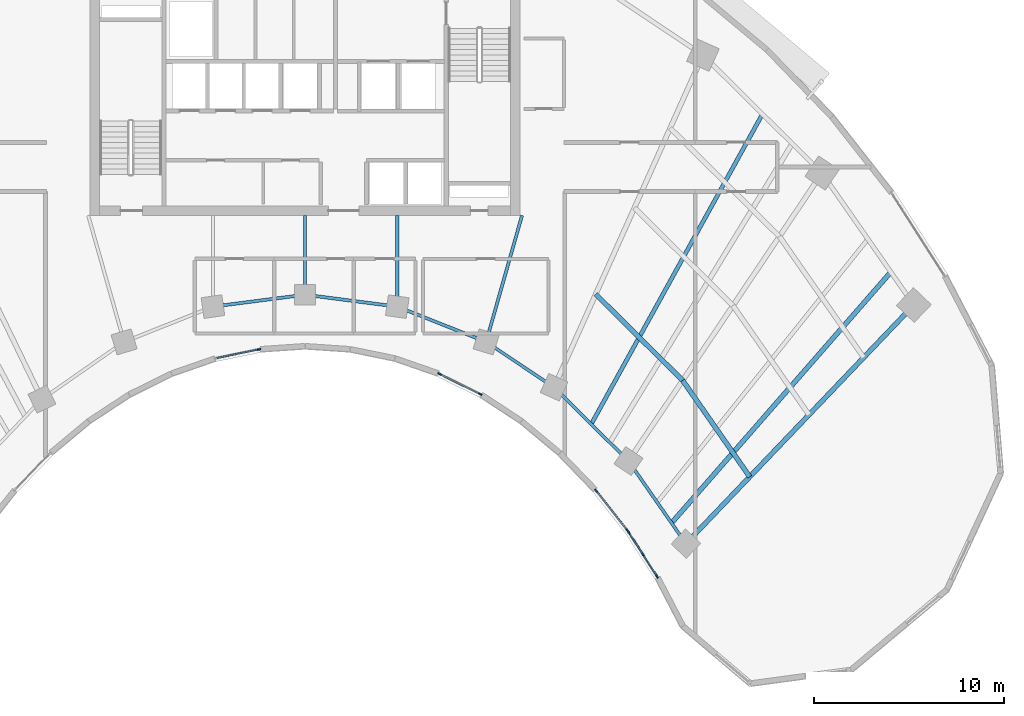
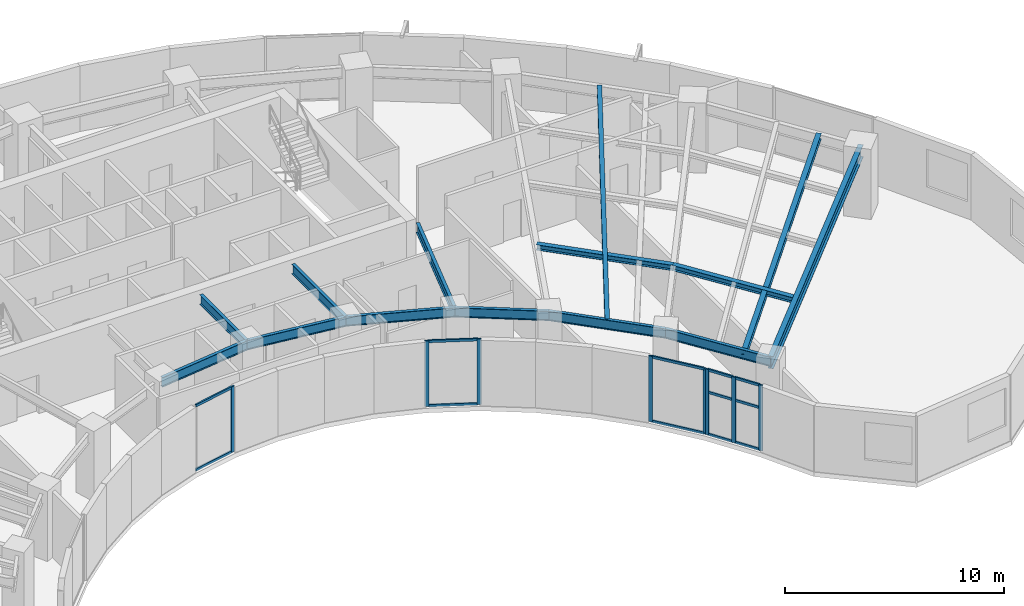
# One storey, part 3 of 14: 20 members, 14 beams, 4 elements without a shape of their own.
"""IFC4 building model written with IfcOpenShell, lengths in metres."""

import ifcopenshell
import ifcopenshell.guid

model = None  # the IFC model being written
_history = None  # IfcOwnerHistory: only IFC2X3 demands one
_inside = {}  # id of a spatial element -> (the spatial element, [elements in it])
_under = {}  # id of a project, library or spatial element -> (it, [spatial elements below it])
_declared = {}  # id of a project -> (the project, [libraries it declares])
_typed = {}  # id of a type object -> (the type object, [elements of that type])
_made_of = {}  # id of a material, layer set ... -> (it, [elements and type objects made of it])


def new_model(schema):
    """Start an empty IFC model of exactly this schema.

    Asked for "IFC4X3", IfcOpenShell would pick the latest addendum, in which some entities
    have other attributes; the version numbers below select the first issue.
    IFC2X3 requires an IfcOwnerHistory on every rooted entity: one is made here for all.
    """
    global model, _history
    if schema == "IFC4X3":
        model = ifcopenshell.file(schema_version=(4, 3, 0, 0))
    else:
        model = ifcopenshell.file(schema=schema)
    _inside.clear()
    _under.clear()
    _declared.clear()
    _typed.clear()
    _made_of.clear()
    _history = None
    if model.schema == "IFC2X3":
        org = make("IfcOrganization", Name="unknown")
        user = make(
            "IfcPersonAndOrganization",
            ThePerson=make("IfcPerson", FamilyName="unknown"),
            TheOrganization=org,
        )
        app = make(
            "IfcApplication",
            ApplicationDeveloper=org,
            Version="unknown",
            ApplicationFullName="unknown",
            ApplicationIdentifier="unknown",
        )
        _history = make(
            "IfcOwnerHistory",
            OwningUser=user,
            OwningApplication=app,
            ChangeAction="ADDED",
            CreationDate=0,
        )
    return model


def make(cls, **values):
    """One entity of the class cls with the attributes given. An attribute that is None is left unset."""
    return model.create_entity(
        cls, **{name: value for name, value in values.items() if value is not None}
    )


def rooted(cls, **values):
    """An entity with a GlobalId (a new one), such as an element, a storey or a relation."""
    return make(cls, GlobalId=ifcopenshell.guid.new(), OwnerHistory=_history, **values)


def si_unit(unit_type, name, prefix=None):
    """IfcSIUnit, for example si_unit("LENGTHUNIT", "METRE", prefix="MILLI")."""
    return make("IfcSIUnit", UnitType=unit_type, Prefix=prefix, Name=name)


def assignment(units):
    """IfcUnitAssignment: the units of a project."""
    return None if units is None else make("IfcUnitAssignment", Units=units)


def point(xyz):
    """IfcCartesianPoint."""
    return None if xyz is None else make("IfcCartesianPoint", Coordinates=xyz)


def direction(xyz):
    """IfcDirection."""
    return None if xyz is None else make("IfcDirection", DirectionRatios=xyz)


def frame(location, z_axis=None, x_axis=None):
    """IfcAxis2Placement3D, a coordinate frame: its origin and axes. An axis left out is left unset."""
    return make(
        "IfcAxis2Placement3D",
        Location=point(location),
        Axis=direction(z_axis),
        RefDirection=direction(x_axis),
    )


def frame_2d(location, x_axis=None):
    """IfcAxis2Placement2D, a coordinate frame in the plane: its origin and x axis."""
    return make(
        "IfcAxis2Placement2D", Location=point(location), RefDirection=direction(x_axis)
    )


def origin():
    """The frame at (0, 0, 0) with its axes left unset."""
    return frame((0.0, 0.0, 0.0))


def origin_2d():
    """The frame at (0, 0) in the plane with its x axis left unset."""
    return frame_2d((0.0, 0.0))


def place(relative_to, where):
    """IfcLocalPlacement: puts the frame where relative to a parent placement (None: the world)."""
    return make(
        "IfcLocalPlacement", PlacementRelTo=relative_to, RelativePlacement=where
    )


def context(
    kind, dimensions, precision=None, world=None, true_north=None, identifier=None
):
    """IfcGeometricRepresentationContext, for example the 3D "Model" context."""
    return make(
        "IfcGeometricRepresentationContext",
        ContextIdentifier=identifier,
        ContextType=kind,
        CoordinateSpaceDimension=dimensions,
        Precision=precision,
        WorldCoordinateSystem=world,
        TrueNorth=true_north,
    )


def subcontext(parent, identifier, kind, view, scale=None):
    """IfcGeometricRepresentationSubContext, for example "Body" below "Model"."""
    return make(
        "IfcGeometricRepresentationSubContext",
        ContextIdentifier=identifier,
        ContextType=kind,
        ParentContext=parent,
        TargetScale=scale,
        TargetView=view,
    )


def project(units=None, contexts=None):
    """IfcProject with its units and contexts."""
    return rooted(
        "IfcProject",
        Name="project",
        RepresentationContexts=contexts,
        UnitsInContext=assignment(units),
    )


def spatial(cls, under=None, at=None, **own):
    """A site, building, storey or space (cls), placed at a placement, below another one or the project."""
    s = rooted(cls, ObjectPlacement=at, **own)
    if under is not None:
        _under.setdefault(under.id(), (under, []))[1].append(s)
    return s


def profile(cls, at=None, kind="AREA", **sizes):
    """A parametric profile (cls). Its sizes go by their IFC names, for example OverallWidth=200.0."""
    return make(cls, ProfileType=kind, Position=at, **sizes)


def rectangle(**sizes):
    """IfcRectangleProfileDef."""
    return profile("IfcRectangleProfileDef", **sizes)


def i_section(**sizes):
    """IfcIShapeProfileDef."""
    return profile("IfcIShapeProfileDef", **sizes)


def extrude(swept, where, along, depth):
    """IfcExtrudedAreaSolid: the profile swept, set in the frame where, extruded along a direction by depth."""
    return make(
        "IfcExtrudedAreaSolid",
        SweptArea=swept,
        Position=where,
        ExtrudedDirection=direction(along),
        Depth=depth,
    )


def shape(context_of_items, identifier, shape_type, items):
    """IfcShapeRepresentation: the items that make up one representation, for example the "Body"."""
    return make(
        "IfcShapeRepresentation",
        ContextOfItems=context_of_items,
        RepresentationIdentifier=identifier,
        RepresentationType=shape_type,
        Items=items,
    )


def source(mapping_origin, context_of_items, identifier, shape_type, items):
    """IfcRepresentationMap: a shape defined once, which mapped items show again and again."""
    return make(
        "IfcRepresentationMap",
        MappingOrigin=mapping_origin,
        MappedRepresentation=shape(context_of_items, identifier, shape_type, items),
    )


def transform(
    local_origin,
    x_axis=None,
    y_axis=None,
    z_axis=None,
    scale=None,
    scale2=None,
    scale3=None,
    uniform=True,
):
    """IfcCartesianTransformationOperator3D, or its non-uniform kind. x_axis, y_axis, z_axis: its Axis1, 2, 3."""
    if uniform:
        return make(
            "IfcCartesianTransformationOperator3D",
            Axis1=direction(x_axis),
            Axis2=direction(y_axis),
            LocalOrigin=point(local_origin),
            Scale=scale,
            Axis3=direction(z_axis),
        )
    return make(
        "IfcCartesianTransformationOperator3DnonUniform",
        Axis1=direction(x_axis),
        Axis2=direction(y_axis),
        LocalOrigin=point(local_origin),
        Scale=scale,
        Axis3=direction(z_axis),
        Scale2=scale2,
        Scale3=scale3,
    )


def mapped(mapping_source, mapping_target):
    """IfcMappedItem: shows the shape of a source again, moved by a transform."""
    return make(
        "IfcMappedItem", MappingSource=mapping_source, MappingTarget=mapping_target
    )


def material(Name=None, Category=None):
    """IfcMaterial."""
    return make("IfcMaterial", Name=Name, Category=Category)


def layer(
    of_material, thickness, ventilated=None, Name=None, Category=None, Priority=None
):
    """IfcMaterialLayer: one layer of a wall or slab, of a material (None: an air gap)."""
    return make(
        "IfcMaterialLayer",
        Material=of_material,
        LayerThickness=thickness,
        IsVentilated=ventilated,
        Name=Name,
        Category=Category,
        Priority=Priority,
    )


def layer_set(layers, Name=None):
    """IfcMaterialLayerSet."""
    return make("IfcMaterialLayerSet", MaterialLayers=layers, LayerSetName=Name)


def material_profile(
    of_material, cross_section, Name=None, Category=None, Priority=None
):
    """IfcMaterialProfile: a cross section and its material."""
    return make(
        "IfcMaterialProfile",
        Name=Name,
        Material=of_material,
        Profile=cross_section,
        Priority=Priority,
        Category=Category,
    )


def profile_set(profiles, Name=None, composite=None):
    """IfcMaterialProfileSet."""
    return make(
        "IfcMaterialProfileSet",
        Name=Name,
        MaterialProfiles=profiles,
        CompositeProfile=composite,
    )


def made_of(thing, what):
    """Note that an element or type object is made of a material, layer set ...; save() writes the relation."""
    if what is not None:
        _made_of.setdefault(what.id(), (what, []))[1].append(thing)
    return thing


def type_object(cls, material=None, **own):
    """A type object (cls), such as IfcWallType, which elements share."""
    return made_of(rooted(cls, **own), material)


def type_shapes(of_type, sources):
    """Give a type object the sources (RepresentationMaps) that its elements show as mapped items."""
    of_type.RepresentationMaps = sources


def element(
    cls,
    number,
    at=None,
    inside=None,
    cuts=None,
    type_object=None,
    material=None,
    context=None,
    identifier="Body",
    shape_type=None,
    held_by="IfcProductDefinitionShape",
    body=None,
    shapes=None,
    **own,
):
    """One element of the class cls, such as IfcWall. Its Tag is "e" and its number.

    at: its placement. inside: the storey or other place that contains it. cuts: it is an
    opening in that element (IfcRelVoidsElement). A single representation is given by context,
    identifier, shape_type and body (its items); several are given by shapes. held_by: the class
    of the entity that holds the representations. save() writes the other relations.
    """
    e = rooted(cls, Tag="e%d" % number, ObjectPlacement=at, **own)
    if body is not None:
        shapes = [shape(context, identifier, shape_type, body)]
    if shapes is not None:
        e.Representation = make(held_by, Representations=shapes)
    if inside is not None:
        _inside.setdefault(inside.id(), (inside, []))[1].append(e)
    if cuts is not None:
        rooted(
            "IfcRelVoidsElement", RelatingBuildingElement=cuts, RelatedOpeningElement=e
        )
    if type_object is not None:
        _typed.setdefault(type_object.id(), (type_object, []))[1].append(e)
    return made_of(e, material)


def aggregate(whole, parts):
    """IfcRelAggregates: a whole, such as a stair, and the parts it consists of."""
    return rooted("IfcRelAggregates", RelatingObject=whole, RelatedObjects=parts)


def save(model, path):
    """Write the relations noted so far, then the file.

    IfcRelAggregates (storeys below a building ...), IfcRelContainedInSpatialStructure (elements
    in a storey), IfcRelDefinesByType, IfcRelAssociatesMaterial and IfcRelDeclares: one each for
    every whole, place, type object, material and project.
    """
    for whole, parts in _under.values():
        aggregate(whole, parts)
    for where, things in _inside.values():
        rooted(
            "IfcRelContainedInSpatialStructure",
            RelatedElements=things,
            RelatingStructure=where,
        )
    for kind, things in _typed.values():
        rooted("IfcRelDefinesByType", RelatedObjects=things, RelatingType=kind)
    for what, things in _made_of.values():
        rooted("IfcRelAssociatesMaterial", RelatedObjects=things, RelatingMaterial=what)
    for by, libraries in _declared.values():
        rooted("IfcRelDeclares", RelatingContext=by, RelatedDefinitions=libraries)
    model.write(path)


model = new_model("IFC4")

# Units and contexts
model_context = context("Model", 3, precision=1e-05, world=origin(), true_north=direction((0.0, 1.0)))
body_context = subcontext(model_context, "Body", "Model", "MODEL_VIEW")
ifc_project = project(units=[si_unit("LENGTHUNIT", "METRE"), si_unit("AREAUNIT", "SQUARE_METRE"), si_unit("VOLUMEUNIT", "CUBIC_METRE"), si_unit("PLANEANGLEUNIT", "RADIAN"), si_unit("MASSUNIT", "GRAM", prefix="KILO")], contexts=[model_context])

# Site, building, storey
site_placement = place(None, origin())
site = spatial("IfcSite", under=ifc_project, at=site_placement, CompositionType="ELEMENT")
building_placement = place(site_placement, origin())
building = spatial("IfcBuilding", under=site, at=building_placement, Name="Breltana Convention Tower", CompositionType="ELEMENT")
storey_placement = place(building_placement, frame((0.0, 0.0, 111.60009765625)))
storey = spatial("IfcBuildingStorey", under=building, at=storey_placement, Name="L26", CompositionType="ELEMENT", Elevation=111.60009765625)

# Beams
ifc_material_1 = material(Name="Steel ASTM A992 Grade 50", Category="steel")
ifc_material_profile_1 = material_profile(ifc_material_1, i_section(OverallWidth=0.25390625, OverallDepth=0.68798828125, WebThickness=0.01318359375, FlangeThickness=0.02099609375, at=origin_2d()), Name="W27X102")
ifc_profile_set_1 = profile_set([ifc_material_profile_1], Name="Steel ASTM A992 Grade 50")
beam_type_1 = type_object("IfcBeamType", Name="BM-RG-W27X102", PredefinedType="USERDEFINED", material=ifc_profile_set_1)
shared_shape_1 = source(origin(), body_context, "Body", "SweptSolid", [
    extrude(i_section(OverallWidth=0.25390625, OverallDepth=0.68798828125, WebThickness=0.01318359375, FlangeThickness=0.02099609375, at=origin_2d()), origin(), (0.0, 0.0, 1.0), 17.341064453125),
])
type_shapes(beam_type_1, [shared_shape_1])
beam_1_placement = place(storey_placement, frame((68.015380859375, 42.95458984375, 3.305908203125), z_axis=(0.690716462293, 0.723125693581, 0.0), x_axis=(-0.723125693581, 0.690716462293, 0.0)))
element("IfcBeam", 1, at=beam_1_placement, inside=storey, type_object=beam_type_1, Name="L26 Radial Floor Girder R11", ObjectType="GIRDER", PredefinedType="USERDEFINED", context=body_context, shape_type="MappedRepresentation", body=[
    mapped(shared_shape_1, transform((0.0, 0.0, 0.0), scale=1.0)),
])
ifc_material_profile_2 = material_profile(ifc_material_1, i_section(OverallWidth=0.166015625, OverallDepth=0.534912109375, WebThickness=0.01025390625, FlangeThickness=0.0166015625, at=origin_2d()), Name="W21X57")
ifc_profile_set_2 = profile_set([ifc_material_profile_2], Name="Steel ASTM A992 Grade 50")
beam_type_2 = type_object("IfcBeamType", Name="BM-BM-W21X57", PredefinedType="BEAM", material=ifc_profile_set_2)
shared_shape_2 = source(origin(), body_context, "Body", "SweptSolid", [
    extrude(i_section(OverallWidth=0.166015625, OverallDepth=0.534912109375, WebThickness=0.01025390625, FlangeThickness=0.0166015625, at=origin_2d()), origin(), (0.0, 0.0, 1.0), 6.904541015625),
])
type_shapes(beam_type_2, [shared_shape_2])
beam_2_placement = place(storey_placement, frame((59.39990234375, 60.199951171875, 3.38232421875), z_axis=(-0.273006781054, -0.962012108811, 0.0), x_axis=(0.962012108811, -0.273006781054, 0.0)))
element("IfcBeam", 2, at=beam_2_placement, inside=storey, type_object=beam_type_2, Name="L26 South Core Tie Girder R08", PredefinedType="BEAM", context=body_context, shape_type="MappedRepresentation", body=[
    mapped(shared_shape_2, transform((0.0, 0.0, 0.0), scale=1.0)),
])
shared_shape_3 = source(origin(), body_context, "Body", "SweptSolid", [
    extrude(i_section(OverallWidth=0.166015625, OverallDepth=0.534912109375, WebThickness=0.01025390625, FlangeThickness=0.0166015625, at=origin_2d()), origin(), (0.0, 0.0, 1.0), 4.789306640625),
])
beam_3_placement = place(storey_placement, frame((52.846435546875, 60.199951171875, 3.38232421875), z_axis=(0.0, -1.0, 0.0), x_axis=(1.0, 0.0, 0.0)))
element("IfcBeam", 3, at=beam_3_placement, inside=storey, type_object=beam_type_2, Name="L26 South Core Tie Girder R07", PredefinedType="BEAM", context=body_context, shape_type="MappedRepresentation", body=[
    mapped(shared_shape_3, transform((0.0, 0.0, 0.0), scale=1.0)),
])
shared_shape_4 = source(origin(), body_context, "Body", "SweptSolid", [
    extrude(i_section(OverallWidth=0.166015625, OverallDepth=0.534912109375, WebThickness=0.01025390625, FlangeThickness=0.0166015625, at=origin_2d()), origin(), (0.0, 0.0, 1.0), 4.1640625),
])
beam_4_placement = place(storey_placement, frame((48.0, 60.199951171875, 3.38232421875), z_axis=(0.0, -1.0, 0.0), x_axis=(1.0, 0.0, 0.0)))
element("IfcBeam", 4, at=beam_4_placement, inside=storey, type_object=beam_type_2, Name="L26 South Core Tie Girder R06", PredefinedType="BEAM", context=body_context, shape_type="MappedRepresentation", body=[
    mapped(shared_shape_4, transform((0.0, 0.0, 0.0), scale=1.0)),
])
shared_shape_5 = source(origin(), body_context, "Body", "SweptSolid", [
    extrude(i_section(OverallWidth=0.166015625, OverallDepth=0.534912109375, WebThickness=0.01025390625, FlangeThickness=0.0166015625, at=origin_2d()), origin(), (0.0, 0.0, 1.0), 5.022705078125),
])
beam_5_placement = place(storey_placement, frame((52.846435546875, 55.41064453125, 3.38232421875), z_axis=(0.929458966248, -0.368925507469, 0.0), x_axis=(0.368925507469, 0.929458966248, 0.0)))
element("IfcBeam", 5, at=beam_5_placement, inside=storey, type_object=beam_type_2, Name="L26 Inner Ring Beam 07", PredefinedType="BEAM", context=body_context, shape_type="MappedRepresentation", body=[
    mapped(shared_shape_5, transform((0.0, 0.0, 0.0), scale=1.0)),
])
shared_shape_6 = source(origin(), body_context, "Body", "SweptSolid", [
    extrude(i_section(OverallWidth=0.166015625, OverallDepth=0.534912109375, WebThickness=0.01025390625, FlangeThickness=0.0166015625, at=origin_2d()), origin(), (0.0, 0.0, 1.0), 4.88671875),
])
for number, where, z_axis, x_axis, name in (
    (6, (43.153564453125, 55.41064453125, 3.38232421875), (0.991780525565, 0.127950729231, 0.0), (-0.127950729231, 0.991780525565, 0.0), "L26 Inner Ring Beam 05"),
    (7, (48.0, 56.035888671875, 3.38232421875), (0.991780525565, -0.127950729231, 0.0), (0.127950729231, 0.991780525565, 0.0), "L26 Inner Ring Beam 06"),
):
    element("IfcBeam", number, at=place(storey_placement, frame(where, z_axis=z_axis, x_axis=x_axis)), inside=storey, type_object=beam_type_2, Name=name, PredefinedType="BEAM", context=body_context, shape_type="MappedRepresentation", body=[
        mapped(shared_shape_6, transform((0.0, 0.0, 0.0), scale=1.0)),
    ])
shared_shape_7 = source(origin(), body_context, "Body", "SweptSolid", [
    extrude(i_section(OverallWidth=0.166015625, OverallDepth=0.534912109375, WebThickness=0.01025390625, FlangeThickness=0.0166015625, at=origin_2d()), origin(), (0.0, 0.0, 1.0), 4.2900390625),
])
beam_6_placement = place(storey_placement, frame((57.514892578125, 53.5576171875, 3.38232421875), z_axis=(0.831515827753, -0.555501060482, 0.0), x_axis=(0.555501060482, 0.831515827753, 0.0)))
element("IfcBeam", 8, at=beam_6_placement, inside=storey, type_object=beam_type_2, Name="L26 Inner Ring Beam 08", PredefinedType="BEAM", context=body_context, shape_type="MappedRepresentation", body=[
    mapped(shared_shape_7, transform((0.0, 0.0, 0.0), scale=1.0)),
])
shared_shape_8 = source(origin(), body_context, "Body", "SweptSolid", [
    extrude(i_section(OverallWidth=0.166015625, OverallDepth=0.534912109375, WebThickness=0.01025390625, FlangeThickness=0.0166015625, at=origin_2d()), origin(), (0.0, 0.0, 1.0), 5.51171875),
])
beam_7_placement = place(storey_placement, frame((61.08203125, 51.174560546875, 3.38232421875), z_axis=(0.710090360749, -0.704110559196, 0.0), x_axis=(0.704110559196, 0.710090360749, 0.0)))
element("IfcBeam", 9, at=beam_7_placement, inside=storey, type_object=beam_type_2, Name="L26 Inner Ring Beam 09", PredefinedType="BEAM", context=body_context, shape_type="MappedRepresentation", body=[
    mapped(shared_shape_8, transform((0.0, 0.0, 0.0), scale=1.0)),
])
shared_shape_9 = source(origin(), body_context, "Body", "SweptSolid", [
    extrude(i_section(OverallWidth=0.166015625, OverallDepth=0.534912109375, WebThickness=0.01025390625, FlangeThickness=0.0166015625, at=origin_2d()), origin(), (0.0, 0.0, 1.0), 5.286376953125),
])
beam_8_placement = place(storey_placement, frame((64.995849609375, 47.293701171875, 3.38232421875), z_axis=(0.571194382458, -0.82081482531, 0.0), x_axis=(0.82081482531, 0.571194382458, 0.0)))
element("IfcBeam", 10, at=beam_8_placement, inside=storey, type_object=beam_type_2, Name="L26 Inner Ring Beam 10", PredefinedType="BEAM", context=body_context, shape_type="MappedRepresentation", body=[
    mapped(shared_shape_9, transform((0.0, 0.0, 0.0), scale=1.0)),
])
ifc_material_profile_3 = material_profile(ifc_material_1, i_section(OverallWidth=0.25390625, OverallDepth=0.305908203125, WebThickness=0.0087890625, FlangeThickness=0.0146484375, at=origin_2d()), Name="W12X53")
ifc_profile_set_3 = profile_set([ifc_material_profile_3], Name="Steel ASTM A992 Grade 50")
beam_type_3 = type_object("IfcBeamType", Name="BM-JSG-10", PredefinedType="JOIST", material=ifc_profile_set_3)
shared_shape_10 = source(origin(), body_context, "Body", "SweptSolid", [
    extrude(i_section(OverallWidth=0.25390625, OverallDepth=0.305908203125, WebThickness=0.0087890625, FlangeThickness=0.0146484375, at=origin_2d()), origin(), (0.0, 0.0, 1.0), 6.435302734375),
])
beam_9_placement = place(storey_placement, frame((63.27392578125, 56.06298828125, 3.496826171875), z_axis=(0.710116389828, -0.704084308089, 0.0), x_axis=(0.704084308089, 0.710116389828, 0.0)))
element("IfcBeam", 11, at=beam_9_placement, inside=storey, type_object=beam_type_3, Name="L26 Composite Floor Joist 09.1", PredefinedType="JOIST", context=body_context, shape_type="MappedRepresentation", body=[
    mapped(shared_shape_10, transform((0.0, 0.0, 0.0), scale=1.0)),
])
ifc_material_profile_4 = material_profile(ifc_material_1, i_section(OverallWidth=0.214111328125, OverallDepth=0.549072265625, WebThickness=0.0146484375, FlangeThickness=0.023681640625, at=origin_2d()), Name="W21X93")
ifc_profile_set_4 = profile_set([ifc_material_profile_4], Name="Steel ASTM A992 Grade 50")
beam_type_4 = type_object("IfcBeamType", Name="BM-JSG-03", PredefinedType="JOIST", material=ifc_profile_set_4)
shared_shape_11 = source(origin(), body_context, "Body", "SweptSolid", [
    extrude(i_section(OverallWidth=0.214111328125, OverallDepth=0.549072265625, WebThickness=0.0146484375, FlangeThickness=0.023681640625, at=origin_2d()), origin(), (0.0, 0.0, 1.0), 18.617431640625),
])
beam_10_placement = place(storey_placement, frame((63.038818359375, 49.234130859375, 3.37548828125), z_axis=(0.483405602507, 0.875396495004, 0.0), x_axis=(-0.875396495004, 0.483405602507, 0.0)))
element("IfcBeam", 12, at=beam_10_placement, inside=storey, type_object=beam_type_4, Name="L26 Mid-Bay Radial Trimmer 09", PredefinedType="JOIST", context=body_context, shape_type="MappedRepresentation", body=[
    mapped(shared_shape_11, transform((0.0, 0.0, 0.0), scale=1.0)),
])
shared_shape_12 = source(origin(), body_context, "Body", "SweptSolid", [
    extrude(i_section(OverallWidth=0.25390625, OverallDepth=0.305908203125, WebThickness=0.0087890625, FlangeThickness=0.0146484375, at=origin_2d()), origin(), (0.0, 0.0, 1.0), 6.172119140625),
])
beam_11_placement = place(storey_placement, frame((67.84375, 51.531982421875, 3.496826171875), z_axis=(0.571211663392, -0.820802799462, 0.0), x_axis=(0.820802799462, 0.571211663392, 0.0)))
element("IfcBeam", 13, at=beam_11_placement, inside=storey, type_object=beam_type_3, Name="L26 Composite Floor Joist 10.1", PredefinedType="JOIST", context=body_context, shape_type="MappedRepresentation", body=[
    mapped(shared_shape_12, transform((0.0, 0.0, 0.0), scale=1.0)),
])
shared_shape_13 = source(origin(), body_context, "Body", "SweptSolid", [
    extrude(i_section(OverallWidth=0.25390625, OverallDepth=0.305908203125, WebThickness=0.0087890625, FlangeThickness=0.0146484375, at=origin_2d()), origin(), (0.0, 0.0, 1.0), 17.515625),
])
beam_12_placement = place(storey_placement, frame((67.260498046875, 44.03955078125, 3.496826171875), z_axis=(0.658051548324, 0.752972881151, 0.0), x_axis=(-0.752972881151, 0.658051548324, 0.0)))
element("IfcBeam", 14, at=beam_12_placement, inside=storey, type_object=beam_type_3, Name="L26 Quarter-Bay Radial Trimmer 10", PredefinedType="JOIST", context=body_context, shape_type="MappedRepresentation", body=[
    mapped(shared_shape_13, transform((0.0, 0.0, 0.0), scale=1.0)),
])

# Curtain wall, members
ifc_material_2 = material(Name="Aluminium Anodised Bronze Frame", Category="aluminium")
ifc_layer = layer(ifc_material_2, 0.18994140625, Name="Aluminium Anodised Bronze Frame")
ifc_layer_set = layer_set([ifc_layer], Name="Aluminium Anodised Bronze Frame")
curtain_wall_type = type_object("IfcCurtainWallType", Name="CW-SYS-1", PredefinedType="NOTDEFINED", material=ifc_layer_set)
curtain_wall_1_placement = place(storey_placement, origin())
curtain_wall_1 = element("IfcCurtainWall", 15, at=curtain_wall_1_placement, inside=storey, type_object=curtain_wall_type, Name="L26 inner south-court glazing 1", PredefinedType="NOTDEFINED")
ifc_material_3 = material(Name="Aluminium Anodised Bronze", Category="aluminium")
ifc_material_profile_5 = material_profile(ifc_material_3, rectangle(XDim=0.080078125, YDim=0.139892578125, at=origin_2d()), Name="CWT-80X140")
ifc_profile_set_5 = profile_set([ifc_material_profile_5], Name="Aluminium Anodised Bronze")
member_type_1 = type_object("IfcMemberType", Name="CWT-140", PredefinedType="USERDEFINED", material=ifc_profile_set_5)
shared_shape_14 = source(origin(), body_context, "Body", "SweptSolid", [
    extrude(rectangle(XDim=0.080078125, YDim=0.139892578125, at=origin_2d()), origin(), (0.0, 0.0, 1.0), 1.30029296875),
])
member_1_placement = place(storey_placement, frame((66.4794921875, 41.259521484375, 0.039794921875), z_axis=(-0.540188084224, 0.841544314735, 0.0), x_axis=(-0.841544314735, -0.540188084224, 0.0)))
member_1 = element("IfcMember", 16, at=member_1_placement, type_object=member_type_1, Name="CW-01 transom 1.1", ObjectType="TRANSOM", PredefinedType="USERDEFINED", context=body_context, shape_type="MappedRepresentation", body=[
    mapped(shared_shape_14, transform((0.0, 0.0, 0.0), scale=1.0)),
])
member_2_placement = place(storey_placement, frame((66.4794921875, 41.259521484375, 2.372314453125), z_axis=(-0.540188084224, 0.841544314735, 0.0), x_axis=(-0.841544314735, -0.540188084224, 0.0)))
member_2 = element("IfcMember", 17, at=member_2_placement, type_object=member_type_1, Name="CW-01 transom 1.2", ObjectType="TRANSOM", PredefinedType="USERDEFINED", context=body_context, shape_type="MappedRepresentation", body=[
    mapped(shared_shape_14, transform((0.0, 0.0, 0.0), scale=1.0)),
])
member_3_placement = place(storey_placement, frame((66.4794921875, 41.259521484375, 3.60986328125), z_axis=(-0.540188084224, 0.841544314735, 0.0), x_axis=(-0.841544314735, -0.540188084224, 0.0)))
member_3 = element("IfcMember", 18, at=member_3_placement, type_object=member_type_1, Name="CW-01 transom 1.3", ObjectType="TRANSOM", PredefinedType="USERDEFINED", context=body_context, shape_type="MappedRepresentation", body=[
    mapped(shared_shape_14, transform((0.0, 0.0, 0.0), scale=1.0)),
])
shared_shape_15 = source(origin(), body_context, "Body", "SweptSolid", [
    extrude(rectangle(XDim=0.080078125, YDim=0.139892578125, at=origin_2d()), origin(), (0.0, 0.0, 1.0), 1.300048828125),
])
member_4_placement = place(storey_placement, frame((65.73388671875, 42.4208984375, 0.039794921875), z_axis=(-0.540140453972, 0.841574886735, 0.0), x_axis=(-0.841574886735, -0.540140453972, 0.0)))
member_4 = element("IfcMember", 19, at=member_4_placement, type_object=member_type_1, Name="CW-01 transom 2.1", ObjectType="TRANSOM", PredefinedType="USERDEFINED", context=body_context, shape_type="MappedRepresentation", body=[
    mapped(shared_shape_15, transform((0.0, 0.0, 0.0), scale=1.0)),
])
member_5_placement = place(storey_placement, frame((65.73388671875, 42.4208984375, 2.372314453125), z_axis=(-0.540140453972, 0.841574886735, 0.0), x_axis=(-0.841574886735, -0.540140453972, 0.0)))
member_5 = element("IfcMember", 20, at=member_5_placement, type_object=member_type_1, Name="CW-01 transom 2.2", ObjectType="TRANSOM", PredefinedType="USERDEFINED", context=body_context, shape_type="MappedRepresentation", body=[
    mapped(shared_shape_15, transform((0.0, 0.0, 0.0), scale=1.0)),
])
member_6_placement = place(storey_placement, frame((65.73388671875, 42.4208984375, 3.60986328125), z_axis=(-0.540140453972, 0.841574886735, 0.0), x_axis=(-0.841574886735, -0.540140453972, 0.0)))
member_6 = element("IfcMember", 21, at=member_6_placement, type_object=member_type_1, Name="CW-01 transom 2.3", ObjectType="TRANSOM", PredefinedType="USERDEFINED", context=body_context, shape_type="MappedRepresentation", body=[
    mapped(shared_shape_15, transform((0.0, 0.0, 0.0), scale=1.0)),
])

curtain_wall_2_placement = place(storey_placement, origin())
curtain_wall_2 = element("IfcCurtainWall", 22, at=curtain_wall_2_placement, inside=storey, type_object=curtain_wall_type, Name="L26 inner south-court glazing 2", PredefinedType="NOTDEFINED")
shared_shape_16 = source(origin(), body_context, "Body", "SweptSolid", [
    extrude(rectangle(XDim=0.080078125, YDim=0.139892578125, at=origin_2d()), origin(), (0.0, 0.0, 1.0), 2.6005859375),
])
member_7_placement = place(storey_placement, frame((64.928955078125, 43.6591796875, 0.039794921875), z_axis=(-0.618078566977, 0.786116330478, 0.0), x_axis=(-0.786116330478, -0.618078566977, 0.0)))
member_7 = element("IfcMember", 23, at=member_7_placement, type_object=member_type_1, Name="CW-01 transom 1.1", ObjectType="TRANSOM", PredefinedType="USERDEFINED", context=body_context, shape_type="MappedRepresentation", body=[
    mapped(shared_shape_16, transform((0.0, 0.0, 0.0), scale=1.0)),
])
member_8_placement = place(storey_placement, frame((64.928955078125, 43.6591796875, 3.60986328125), z_axis=(-0.618078566977, 0.786116330478, 0.0), x_axis=(-0.786116330478, -0.618078566977, 0.0)))
member_8 = element("IfcMember", 24, at=member_8_placement, type_object=member_type_1, Name="CW-01 transom 1.2", ObjectType="TRANSOM", PredefinedType="USERDEFINED", context=body_context, shape_type="MappedRepresentation", body=[
    mapped(shared_shape_16, transform((0.0, 0.0, 0.0), scale=1.0)),
])

curtain_wall_3_placement = place(storey_placement, origin())
curtain_wall_3 = element("IfcCurtainWall", 25, at=curtain_wall_3_placement, inside=storey, type_object=curtain_wall_type, Name="L26 inner south-court glazing 3", PredefinedType="NOTDEFINED")
shared_shape_17 = source(origin(), body_context, "Body", "SweptSolid", [
    extrude(rectangle(XDim=0.080078125, YDim=0.139892578125, at=origin_2d()), origin(), (0.0, 0.0, 1.0), 2.302490234375),
])
member_9_placement = place(storey_placement, frame((57.167236328125, 50.83251953125, 0.039794921875), z_axis=(-0.895948802276, 0.444157341152, 0.0), x_axis=(-0.444157341152, -0.895948802276, 0.0)))
member_9 = element("IfcMember", 26, at=member_9_placement, type_object=member_type_1, Name="CW-01 transom 1.1", ObjectType="TRANSOM", PredefinedType="USERDEFINED", context=body_context, shape_type="MappedRepresentation", body=[
    mapped(shared_shape_17, transform((0.0, 0.0, 0.0), scale=1.0)),
])
member_10_placement = place(storey_placement, frame((57.167236328125, 50.83251953125, 3.60986328125), z_axis=(-0.895948802276, 0.444157341152, 0.0), x_axis=(-0.444157341152, -0.895948802276, 0.0)))
member_10 = element("IfcMember", 27, at=member_10_placement, type_object=member_type_1, Name="CW-01 transom 1.2", ObjectType="TRANSOM", PredefinedType="USERDEFINED", context=body_context, shape_type="MappedRepresentation", body=[
    mapped(shared_shape_17, transform((0.0, 0.0, 0.0), scale=1.0)),
])

curtain_wall_4_placement = place(storey_placement, origin())
curtain_wall_4 = element("IfcCurtainWall", 28, at=curtain_wall_4_placement, inside=storey, type_object=curtain_wall_type, Name="L26 inner south-court glazing 4", PredefinedType="NOTDEFINED")
shared_shape_18 = source(origin(), body_context, "Body", "SweptSolid", [
    extrude(rectangle(XDim=0.080078125, YDim=0.139892578125, at=origin_2d()), origin(), (0.0, 0.0, 1.0), 2.2138671875),
])
member_11_placement = place(storey_placement, frame((45.535888671875, 53.15576171875, 0.039794921875), z_axis=(-0.979627741123, -0.200822032712, 0.0), x_axis=(0.200822032712, -0.979627741123, 0.0)))
member_11 = element("IfcMember", 29, at=member_11_placement, type_object=member_type_1, Name="CW-01 transom 1.1", ObjectType="TRANSOM", PredefinedType="USERDEFINED", context=body_context, shape_type="MappedRepresentation", body=[
    mapped(shared_shape_18, transform((0.0, 0.0, 0.0), scale=1.0)),
])
member_12_placement = place(storey_placement, frame((45.535888671875, 53.15576171875, 3.60986328125), z_axis=(-0.979627741123, -0.200822032712, 0.0), x_axis=(0.200822032712, -0.979627741123, 0.0)))
member_12 = element("IfcMember", 30, at=member_12_placement, type_object=member_type_1, Name="CW-01 transom 1.2", ObjectType="TRANSOM", PredefinedType="USERDEFINED", context=body_context, shape_type="MappedRepresentation", body=[
    mapped(shared_shape_18, transform((0.0, 0.0, 0.0), scale=1.0)),
])

# Member
ifc_material_profile_6 = material_profile(ifc_material_3, rectangle(XDim=0.080078125, YDim=0.199951171875, at=origin_2d()), Name="CWM-80X200")
ifc_profile_set_6 = profile_set([ifc_material_profile_6], Name="Aluminium Anodised Bronze")
member_type_2 = type_object("IfcMemberType", Name="CWM-200", PredefinedType="MULLION", material=ifc_profile_set_6)
shared_shape_19 = source(origin(), body_context, "Body", "SweptSolid", [
    extrude(rectangle(XDim=0.080078125, YDim=0.199951171875, at=origin_2d()), origin(), (0.0, 0.0, 1.0), 3.64990234375),
])
member_13_placement = place(storey_placement, frame((66.5009765625, 41.22607421875, 0.0), z_axis=(0.0, 0.0, 1.0), x_axis=(-0.841551235949, -0.5401773017, 0.0)))
member_13 = element("IfcMember", 31, at=member_13_placement, type_object=member_type_2, Name="CW-01 mullion 1", PredefinedType="MULLION", context=body_context, shape_type="MappedRepresentation", body=[
    mapped(shared_shape_19, transform((0.0, 0.0, 0.0), scale=1.0)),
])

member_14_placement = place(storey_placement, frame((65.755615234375, 42.38720703125, 0.0), z_axis=(0.0, 0.0, 1.0), x_axis=(-0.841551235949, -0.5401773017, 0.0)))
member_14 = element("IfcMember", 32, at=member_14_placement, type_object=member_type_2, Name="CW-01 mullion 2", PredefinedType="MULLION", context=body_context, shape_type="MappedRepresentation", body=[
    mapped(shared_shape_19, transform((0.0, 0.0, 0.0), scale=1.0)),
])

member_15_placement = place(storey_placement, frame((65.010009765625, 43.548583984375, 0.0), z_axis=(0.0, 0.0, 1.0), x_axis=(-0.841551235949, -0.5401773017, 0.0)))
member_15 = element("IfcMember", 33, at=member_15_placement, type_object=member_type_2, Name="CW-01 mullion 3", PredefinedType="MULLION", context=body_context, shape_type="MappedRepresentation", body=[
    mapped(shared_shape_19, transform((0.0, 0.0, 0.0), scale=1.0)),
])

aggregate(curtain_wall_1, [member_13, member_14, member_15, member_1, member_2, member_3, member_4, member_5, member_6])

member_16_placement = place(storey_placement, frame((64.953857421875, 43.6279296875, 0.0), z_axis=(0.0, 0.0, 1.0), x_axis=(-0.786054302547, -0.61815745037, 0.0)))
member_16 = element("IfcMember", 34, at=member_16_placement, type_object=member_type_2, Name="CW-01 mullion 1", PredefinedType="MULLION", context=body_context, shape_type="MappedRepresentation", body=[
    mapped(shared_shape_19, transform((0.0, 0.0, 0.0), scale=1.0)),
])

member_17_placement = place(storey_placement, frame((63.296630859375, 45.73486328125, 0.0), z_axis=(0.0, 0.0, 1.0), x_axis=(-0.786054302547, -0.61815745037, 0.0)))
member_17 = element("IfcMember", 35, at=member_17_placement, type_object=member_type_2, Name="CW-01 mullion 2", PredefinedType="MULLION", context=body_context, shape_type="MappedRepresentation", body=[
    mapped(shared_shape_19, transform((0.0, 0.0, 0.0), scale=1.0)),
])

aggregate(curtain_wall_2, [member_16, member_17, member_7, member_8])

member_18_placement = place(storey_placement, frame((57.203125, 50.814697265625, 0.0), z_axis=(0.0, 0.0, 1.0), x_axis=(-0.444124759622, -0.895964953495, 0.0)))
member_18 = element("IfcMember", 36, at=member_18_placement, type_object=member_type_2, Name="CW-01 mullion 1", PredefinedType="MULLION", context=body_context, shape_type="MappedRepresentation", body=[
    mapped(shared_shape_19, transform((0.0, 0.0, 0.0), scale=1.0)),
])

member_19_placement = place(storey_placement, frame((55.068359375, 51.873046875, 0.0), z_axis=(0.0, 0.0, 1.0), x_axis=(-0.444124759622, -0.895964953495, 0.0)))
member_19 = element("IfcMember", 37, at=member_19_placement, type_object=member_type_2, Name="CW-01 mullion 2", PredefinedType="MULLION", context=body_context, shape_type="MappedRepresentation", body=[
    mapped(shared_shape_19, transform((0.0, 0.0, 0.0), scale=1.0)),
])

aggregate(curtain_wall_3, [member_18, member_19, member_9, member_10])

member_20_placement = place(storey_placement, frame((45.574951171875, 53.163818359375, 0.0), z_axis=(0.0, 0.0, 1.0), x_axis=(0.200852929183, -0.979621406891, 0.0)))
member_20 = element("IfcMember", 38, at=member_20_placement, type_object=member_type_2, Name="CW-01 mullion 1", PredefinedType="MULLION", context=body_context, shape_type="MappedRepresentation", body=[
    mapped(shared_shape_19, transform((0.0, 0.0, 0.0), scale=1.0)),
])

aggregate(curtain_wall_4, [member_20, member_11, member_12])

save(model, "model.ifc")
